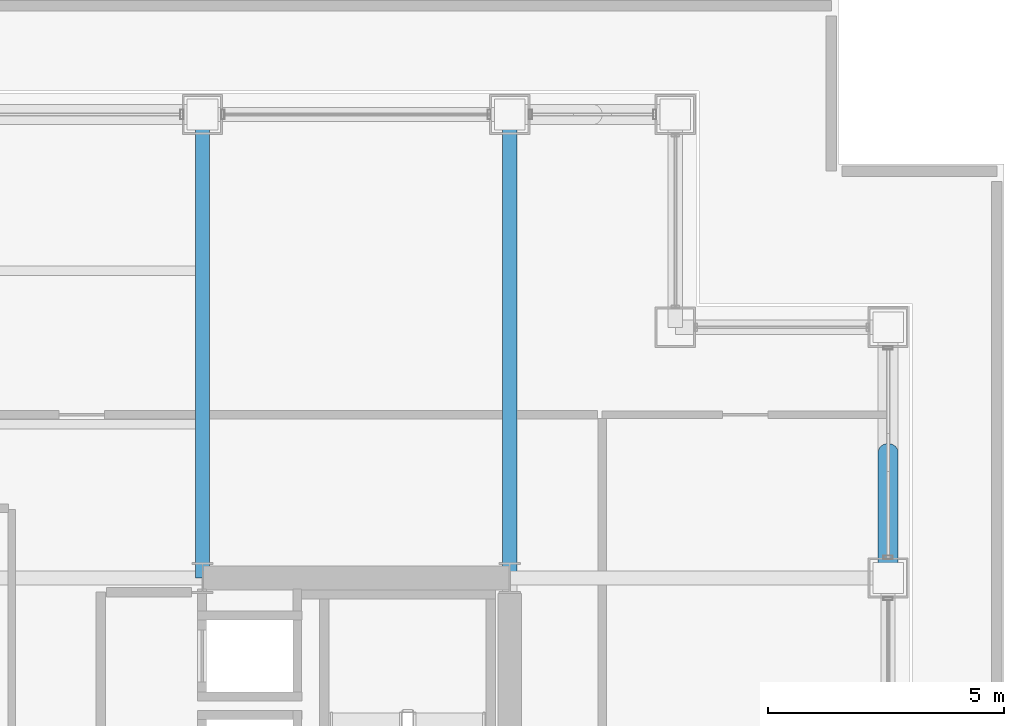
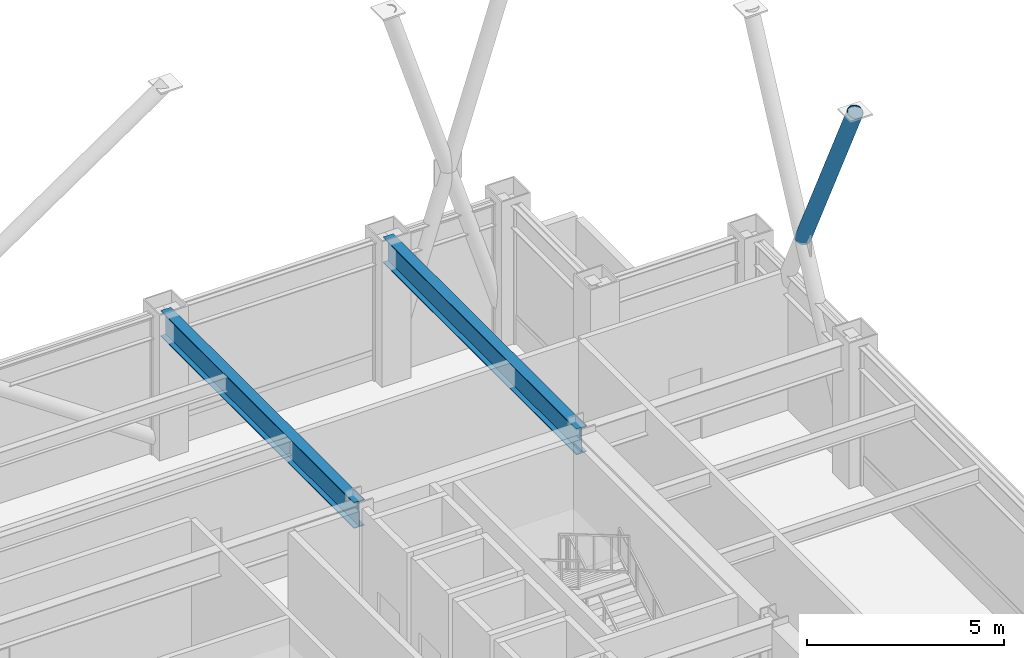
# One storey, part 23 of 32: 2 beams, 1 member.
"""IFC4 building model written with IfcOpenShell, lengths in metres."""

from ifc_helpers import new_model, si_unit, direction, frame, origin, origin_2d, place, context, subcontext, project, spatial, hollow_circle, i_section, extrude, material, material_profile, profile_set, type_object, element, save


model = new_model("IFC4")

# Units and contexts
model_context = context("Model", 3, precision=1e-05, world=origin(), true_north=direction((0.0, 1.0)))
body_context = subcontext(model_context, "Body", "Model", "MODEL_VIEW")
ifc_project = project(units=[si_unit("LENGTHUNIT", "METRE"), si_unit("AREAUNIT", "SQUARE_METRE"), si_unit("VOLUMEUNIT", "CUBIC_METRE"), si_unit("PLANEANGLEUNIT", "RADIAN"), si_unit("MASSUNIT", "GRAM", prefix="KILO")], contexts=[model_context])

# Site, building, storey
site_placement = place(None, origin())
site = spatial("IfcSite", under=ifc_project, at=site_placement, CompositionType="ELEMENT")
building_placement = place(site_placement, origin())
building = spatial("IfcBuilding", under=site, at=building_placement, Name="Brelmoor Portico Tower", CompositionType="ELEMENT")
storey_placement = place(building_placement, frame((0.0, 0.0, 87.300048828125)))
storey = spatial("IfcBuildingStorey", under=building, at=storey_placement, Name="L22", CompositionType="ELEMENT", Elevation=87.300048828125)

# Beams
ifc_material = material(Name="Steel Q355B", Category="steel")
ifc_material_profile_1 = material_profile(ifc_material, i_section(OverallWidth=0.300048828125, OverallDepth=0.800048828125, WebThickness=0.013916015625, FlangeThickness=0.02587890625, at=origin_2d()), Name="HN 800x300x14x26")
ifc_profile_set_1 = profile_set([ifc_material_profile_1], Name="Steel Q355B")
beam_type = type_object("IfcBeamType", Name="BM-PG-800", PredefinedType="BEAM", material=ifc_profile_set_1)
for number, where, z_axis, x_axis, name in (
    (1, (8.050048828125, 9.75, 3.89990234375), (0.0, 1.0, 0.0), (-1.0, 0.0, 0.0), "L22 Primary Floor Girder PG-08"),
    (2, (14.550048828125, 9.75, 3.89990234375), (0.0, 1.0, 0.0), (-1.0, 0.0, 0.0), "L22 Primary Floor Girder PG-12"),
):
    element("IfcBeam", number, at=place(storey_placement, frame(where, z_axis=z_axis, x_axis=x_axis)), inside=storey, type_object=beam_type, Name=name, PredefinedType="BEAM", context=body_context, shape_type="SweptSolid", body=[
        extrude(i_section(OverallWidth=0.300048828125, OverallDepth=0.800048828125, WebThickness=0.013916015625, FlangeThickness=0.02587890625, at=origin_2d()), origin(), (0.0, 0.0, 1.0), 9.800048828125),
    ])

# Member
ifc_material_profile_2 = material_profile(ifc_material, hollow_circle(Radius=0.212890625, WallThickness=0.02001953125, at=origin_2d()), Name="CHS 426x20")
ifc_profile_set_2 = profile_set([ifc_material_profile_2], Name="Steel Q355B")
member_type = type_object("IfcMemberType", Name="MB-BELT-DIAG1", PredefinedType="BRACE", material=ifc_profile_set_2)
member_placement = place(storey_placement, frame((22.550048828125, 12.39990234375, 5.75), z_axis=(0.0, -0.434048862995, 0.900889329792), x_axis=(1.0, 0.0, 0.0)))
element("IfcMember", 3, at=member_placement, inside=storey, type_object=member_type, Name="L22 Split Mega-X Brace 049B2", PredefinedType="BRACE", context=body_context, shape_type="SweptSolid", body=[
    extrude(hollow_circle(Radius=0.212890625, WallThickness=0.02001953125, at=origin_2d()), origin(), (0.0, 0.0, 1.0), 6.10498046875),
])

save(model, "model.ifc")
